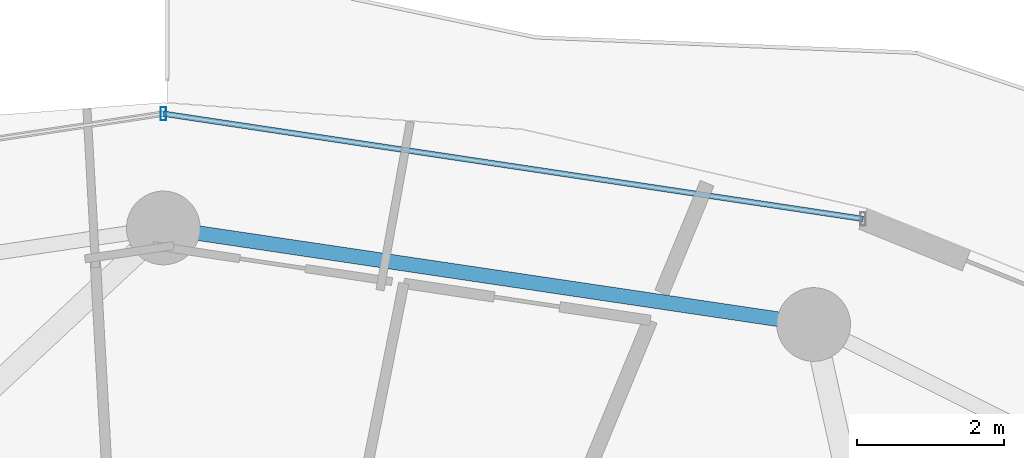
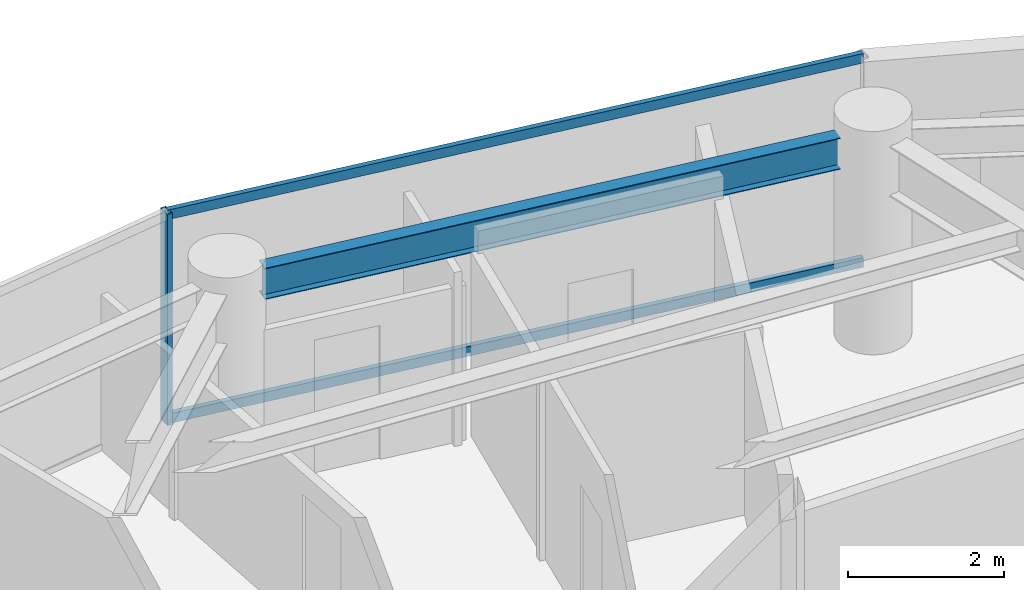
# One storey, part 17 of 28: 3 members, 1 beam, 1 element without a shape of its own.
"""IFC4 building model written with IfcOpenShell, lengths in metres."""

from ifc_helpers import new_model, si_unit, direction, frame, origin, origin_2d, place, context, subcontext, project, spatial, hollow_rectangle, i_section, extrude, material, material_profile, profile_set, type_object, element, aggregate, save


model = new_model("IFC4")

# Units and contexts
model_context = context("Model", 3, precision=1e-05, world=origin(), true_north=direction((0.0, 1.0)))
body_context = subcontext(model_context, "Body", "Model", "MODEL_VIEW")
ifc_project = project(units=[si_unit("LENGTHUNIT", "METRE"), si_unit("AREAUNIT", "SQUARE_METRE"), si_unit("VOLUMEUNIT", "CUBIC_METRE"), si_unit("PLANEANGLEUNIT", "RADIAN"), si_unit("MASSUNIT", "GRAM", prefix="KILO")], contexts=[model_context])

# Site, building, storey
site_placement = place(None, origin())
site = spatial("IfcSite", under=ifc_project, at=site_placement, CompositionType="ELEMENT")
building_placement = place(site_placement, origin())
building = spatial("IfcBuilding", under=site, at=building_placement, Name="Vorneva Point Tower", CompositionType="ELEMENT")
storey_placement = place(building_placement, frame((0.0, 0.0, 164.10009765625)))
storey = spatial("IfcBuildingStorey", under=building, at=storey_placement, Name="L44", CompositionType="ELEMENT", Elevation=164.10009765625)

# Beam
ifc_material_1 = material(Name="Steel S355", Category="steel")
ifc_material_profile_1 = material_profile(ifc_material_1, i_section(OverallWidth=0.199951171875, OverallDepth=0.491943359375, WebThickness=0.0087890625, FlangeThickness=0.011962890625, at=origin_2d()), Name="50B1")
ifc_profile_set_1 = profile_set([ifc_material_profile_1], Name="Steel S355")
beam_type = type_object("IfcBeamType", Name="BM-SPN-50B1", PredefinedType="SPANDREL", material=ifc_profile_set_1)
beam_placement = place(storey_placement, frame((46.34130859375, 41.9619140625, 2.993896484375), z_axis=(-0.989161199046, 0.146833655211, 0.0), x_axis=(-0.146833655211, -0.989161199046, 0.0)))
element("IfcBeam", 1, at=beam_placement, inside=storey, type_object=beam_type, Name="L44 Perimeter Spandrel Ring Beam 04", PredefinedType="SPANDREL", context=body_context, shape_type="SweptSolid", body=[
    extrude(i_section(OverallWidth=0.199951171875, OverallDepth=0.491943359375, WebThickness=0.0087890625, FlangeThickness=0.011962890625, at=origin_2d()), origin(), (0.0, 0.0, 1.0), 7.94775390625),
])

# Curtain wall, members
ifc_material_2 = material(Name="Pale anodised aluminium", Category="aluminium")
curtain_wall_type = type_object("IfcCurtainWallType", Name="CW-RES-SYS", PredefinedType="NOTDEFINED", material=ifc_material_2)
curtain_wall_placement = place(storey_placement, origin())
curtain_wall = element("IfcCurtainWall", 2, at=curtain_wall_placement, inside=storey, type_object=curtain_wall_type, Name="L44 Unitised Curtain Wall CW-L44-R02", PredefinedType="NOTDEFINED")
ifc_material_profile_2 = material_profile(ifc_material_2, hollow_rectangle(XDim=0.074951171875, YDim=0.179931640625, WallThickness=0.00390625, at=origin_2d()), Name="AL-MUL 180x75x4")
ifc_profile_set_2 = profile_set([ifc_material_profile_2], Name="Pale anodised aluminium")
member_type_1 = type_object("IfcMemberType", Name="CW-MUL-180", PredefinedType="MULLION", material=ifc_profile_set_2)
member_1_placement = place(storey_placement, frame((38.0, 44.75, -0.0400390625), z_axis=(0.0, 0.0, 1.0), x_axis=(1.0, 0.0, 0.0)))
member_1 = element("IfcMember", 3, at=member_1_placement, type_object=member_type_1, Name="CW-L44-R02 Mullion 02", PredefinedType="MULLION", context=body_context, shape_type="SweptSolid", body=[
    extrude(hollow_rectangle(XDim=0.074951171875, YDim=0.179931640625, WallThickness=0.00390625, at=origin_2d()), origin(), (0.0, 0.0, 1.0), 3.31005859375),
])
ifc_material_profile_3 = material_profile(ifc_material_2, hollow_rectangle(XDim=0.074951171875, YDim=0.14990234375, WallThickness=0.00390625, at=origin_2d()), Name="AL-TRN 150x75x4")
ifc_profile_set_3 = profile_set([ifc_material_profile_3], Name="Pale anodised aluminium")
member_type_2 = type_object("IfcMemberType", Name="CW-TRN-150", PredefinedType="USERDEFINED", material=ifc_profile_set_3)
member_2_placement = place(storey_placement, frame((47.490478515625, 43.32275390625, 0.02001953125), z_axis=(-0.988880117727, 0.148714870687, 0.0), x_axis=(-0.148714870687, -0.988880117727, 0.0)))
member_2 = element("IfcMember", 4, at=member_2_placement, type_object=member_type_2, Name="CW-L44-R02 Transom 01.1", ObjectType="TRANSOM", PredefinedType="USERDEFINED", context=body_context, shape_type="SweptSolid", body=[
    extrude(hollow_rectangle(XDim=0.074951171875, YDim=0.14990234375, WallThickness=0.00390625, at=origin_2d()), origin(), (0.0, 0.0, 1.0), 9.59716796875),
])
member_3_placement = place(storey_placement, frame((47.490478515625, 43.32275390625, 3.219970703125), z_axis=(-0.988880117727, 0.148714870687, 0.0), x_axis=(-0.148714870687, -0.988880117727, 0.0)))
member_3 = element("IfcMember", 5, at=member_3_placement, type_object=member_type_2, Name="CW-L44-R02 Transom 01.2", ObjectType="TRANSOM", PredefinedType="USERDEFINED", context=body_context, shape_type="SweptSolid", body=[
    extrude(hollow_rectangle(XDim=0.074951171875, YDim=0.14990234375, WallThickness=0.00390625, at=origin_2d()), origin(), (0.0, 0.0, 1.0), 9.59716796875),
])
aggregate(curtain_wall, [member_1, member_2, member_3])

save(model, "model.ifc")
